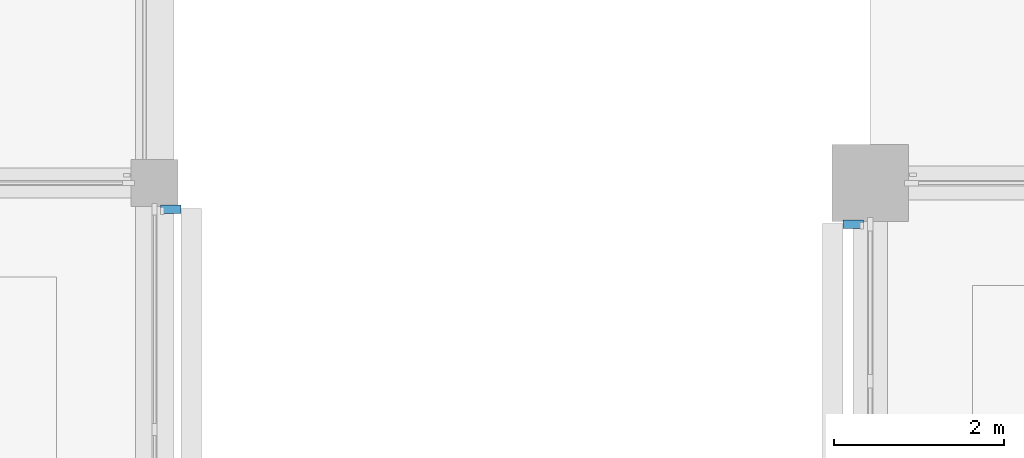
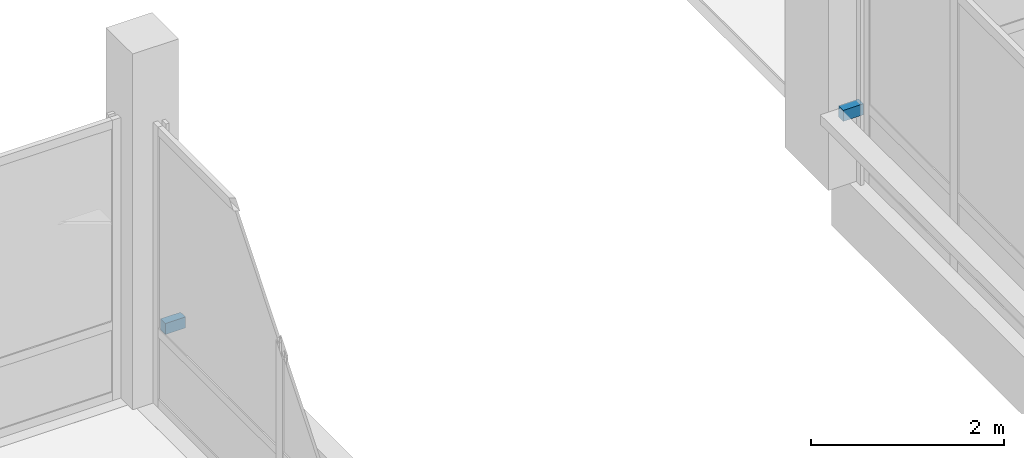
# One storey, part 29 of 59: 2 discrete accessories.
"""IFC4 building model written with IfcOpenShell, lengths in metres."""

import ifcopenshell
import ifcopenshell.guid

model = None  # the IFC model being written
_history = None  # IfcOwnerHistory: only IFC2X3 demands one
_inside = {}  # id of a spatial element -> (the spatial element, [elements in it])
_under = {}  # id of a project, library or spatial element -> (it, [spatial elements below it])
_declared = {}  # id of a project -> (the project, [libraries it declares])
_typed = {}  # id of a type object -> (the type object, [elements of that type])
_made_of = {}  # id of a material, layer set ... -> (it, [elements and type objects made of it])


def new_model(schema):
    """Start an empty IFC model of exactly this schema.

    Asked for "IFC4X3", IfcOpenShell would pick the latest addendum, in which some entities
    have other attributes; the version numbers below select the first issue.
    IFC2X3 requires an IfcOwnerHistory on every rooted entity: one is made here for all.
    """
    global model, _history
    if schema == "IFC4X3":
        model = ifcopenshell.file(schema_version=(4, 3, 0, 0))
    else:
        model = ifcopenshell.file(schema=schema)
    _inside.clear()
    _under.clear()
    _declared.clear()
    _typed.clear()
    _made_of.clear()
    _history = None
    if model.schema == "IFC2X3":
        org = make("IfcOrganization", Name="unknown")
        user = make(
            "IfcPersonAndOrganization",
            ThePerson=make("IfcPerson", FamilyName="unknown"),
            TheOrganization=org,
        )
        app = make(
            "IfcApplication",
            ApplicationDeveloper=org,
            Version="unknown",
            ApplicationFullName="unknown",
            ApplicationIdentifier="unknown",
        )
        _history = make(
            "IfcOwnerHistory",
            OwningUser=user,
            OwningApplication=app,
            ChangeAction="ADDED",
            CreationDate=0,
        )
    return model


def make(cls, **values):
    """One entity of the class cls with the attributes given. An attribute that is None is left unset."""
    return model.create_entity(
        cls, **{name: value for name, value in values.items() if value is not None}
    )


def rooted(cls, **values):
    """An entity with a GlobalId (a new one), such as an element, a storey or a relation."""
    return make(cls, GlobalId=ifcopenshell.guid.new(), OwnerHistory=_history, **values)


def si_unit(unit_type, name, prefix=None):
    """IfcSIUnit, for example si_unit("LENGTHUNIT", "METRE", prefix="MILLI")."""
    return make("IfcSIUnit", UnitType=unit_type, Prefix=prefix, Name=name)


def assignment(units):
    """IfcUnitAssignment: the units of a project."""
    return None if units is None else make("IfcUnitAssignment", Units=units)


def point(xyz):
    """IfcCartesianPoint."""
    return None if xyz is None else make("IfcCartesianPoint", Coordinates=xyz)


def direction(xyz):
    """IfcDirection."""
    return None if xyz is None else make("IfcDirection", DirectionRatios=xyz)


def frame(location, z_axis=None, x_axis=None):
    """IfcAxis2Placement3D, a coordinate frame: its origin and axes. An axis left out is left unset."""
    return make(
        "IfcAxis2Placement3D",
        Location=point(location),
        Axis=direction(z_axis),
        RefDirection=direction(x_axis),
    )


def frame_2d(location, x_axis=None):
    """IfcAxis2Placement2D, a coordinate frame in the plane: its origin and x axis."""
    return make(
        "IfcAxis2Placement2D", Location=point(location), RefDirection=direction(x_axis)
    )


def origin():
    """The frame at (0, 0, 0) with its axes left unset."""
    return frame((0.0, 0.0, 0.0))


def origin_2d():
    """The frame at (0, 0) in the plane with its x axis left unset."""
    return frame_2d((0.0, 0.0))


def place(relative_to, where):
    """IfcLocalPlacement: puts the frame where relative to a parent placement (None: the world)."""
    return make(
        "IfcLocalPlacement", PlacementRelTo=relative_to, RelativePlacement=where
    )


def context(
    kind, dimensions, precision=None, world=None, true_north=None, identifier=None
):
    """IfcGeometricRepresentationContext, for example the 3D "Model" context."""
    return make(
        "IfcGeometricRepresentationContext",
        ContextIdentifier=identifier,
        ContextType=kind,
        CoordinateSpaceDimension=dimensions,
        Precision=precision,
        WorldCoordinateSystem=world,
        TrueNorth=true_north,
    )


def subcontext(parent, identifier, kind, view, scale=None):
    """IfcGeometricRepresentationSubContext, for example "Body" below "Model"."""
    return make(
        "IfcGeometricRepresentationSubContext",
        ContextIdentifier=identifier,
        ContextType=kind,
        ParentContext=parent,
        TargetScale=scale,
        TargetView=view,
    )


def project(units=None, contexts=None):
    """IfcProject with its units and contexts."""
    return rooted(
        "IfcProject",
        Name="project",
        RepresentationContexts=contexts,
        UnitsInContext=assignment(units),
    )


def spatial(cls, under=None, at=None, **own):
    """A site, building, storey or space (cls), placed at a placement, below another one or the project."""
    s = rooted(cls, ObjectPlacement=at, **own)
    if under is not None:
        _under.setdefault(under.id(), (under, []))[1].append(s)
    return s


def profile(cls, at=None, kind="AREA", **sizes):
    """A parametric profile (cls). Its sizes go by their IFC names, for example OverallWidth=200.0."""
    return make(cls, ProfileType=kind, Position=at, **sizes)


def rectangle(**sizes):
    """IfcRectangleProfileDef."""
    return profile("IfcRectangleProfileDef", **sizes)


def extrude(swept, where, along, depth):
    """IfcExtrudedAreaSolid: the profile swept, set in the frame where, extruded along a direction by depth."""
    return make(
        "IfcExtrudedAreaSolid",
        SweptArea=swept,
        Position=where,
        ExtrudedDirection=direction(along),
        Depth=depth,
    )


def shape(context_of_items, identifier, shape_type, items):
    """IfcShapeRepresentation: the items that make up one representation, for example the "Body"."""
    return make(
        "IfcShapeRepresentation",
        ContextOfItems=context_of_items,
        RepresentationIdentifier=identifier,
        RepresentationType=shape_type,
        Items=items,
    )


def material(Name=None, Category=None):
    """IfcMaterial."""
    return make("IfcMaterial", Name=Name, Category=Category)


def made_of(thing, what):
    """Note that an element or type object is made of a material, layer set ...; save() writes the relation."""
    if what is not None:
        _made_of.setdefault(what.id(), (what, []))[1].append(thing)
    return thing


def type_object(cls, material=None, **own):
    """A type object (cls), such as IfcWallType, which elements share."""
    return made_of(rooted(cls, **own), material)


def element(
    cls,
    number,
    at=None,
    inside=None,
    cuts=None,
    type_object=None,
    material=None,
    context=None,
    identifier="Body",
    shape_type=None,
    held_by="IfcProductDefinitionShape",
    body=None,
    shapes=None,
    **own,
):
    """One element of the class cls, such as IfcWall. Its Tag is "e" and its number.

    at: its placement. inside: the storey or other place that contains it. cuts: it is an
    opening in that element (IfcRelVoidsElement). A single representation is given by context,
    identifier, shape_type and body (its items); several are given by shapes. held_by: the class
    of the entity that holds the representations. save() writes the other relations.
    """
    e = rooted(cls, Tag="e%d" % number, ObjectPlacement=at, **own)
    if body is not None:
        shapes = [shape(context, identifier, shape_type, body)]
    if shapes is not None:
        e.Representation = make(held_by, Representations=shapes)
    if inside is not None:
        _inside.setdefault(inside.id(), (inside, []))[1].append(e)
    if cuts is not None:
        rooted(
            "IfcRelVoidsElement", RelatingBuildingElement=cuts, RelatedOpeningElement=e
        )
    if type_object is not None:
        _typed.setdefault(type_object.id(), (type_object, []))[1].append(e)
    return made_of(e, material)


def aggregate(whole, parts):
    """IfcRelAggregates: a whole, such as a stair, and the parts it consists of."""
    return rooted("IfcRelAggregates", RelatingObject=whole, RelatedObjects=parts)


def save(model, path):
    """Write the relations noted so far, then the file.

    IfcRelAggregates (storeys below a building ...), IfcRelContainedInSpatialStructure (elements
    in a storey), IfcRelDefinesByType, IfcRelAssociatesMaterial and IfcRelDeclares: one each for
    every whole, place, type object, material and project.
    """
    for whole, parts in _under.values():
        aggregate(whole, parts)
    for where, things in _inside.values():
        rooted(
            "IfcRelContainedInSpatialStructure",
            RelatedElements=things,
            RelatingStructure=where,
        )
    for kind, things in _typed.values():
        rooted("IfcRelDefinesByType", RelatedObjects=things, RelatingType=kind)
    for what, things in _made_of.values():
        rooted("IfcRelAssociatesMaterial", RelatedObjects=things, RelatingMaterial=what)
    for by, libraries in _declared.values():
        rooted("IfcRelDeclares", RelatingContext=by, RelatedDefinitions=libraries)
    model.write(path)


model = new_model("IFC4")

# Units and contexts
model_context = context("Model", 3, precision=1e-05, world=origin(), true_north=direction((0.0, 1.0)))
body_context = subcontext(model_context, "Body", "Model", "MODEL_VIEW")
ifc_project = project(units=[si_unit("LENGTHUNIT", "METRE"), si_unit("AREAUNIT", "SQUARE_METRE"), si_unit("VOLUMEUNIT", "CUBIC_METRE"), si_unit("PLANEANGLEUNIT", "RADIAN"), si_unit("MASSUNIT", "GRAM", prefix="KILO")], contexts=[model_context])

# Site, building, storey
site_placement = place(None, origin())
site = spatial("IfcSite", under=ifc_project, at=site_placement, CompositionType="ELEMENT")
building_placement = place(site_placement, origin())
building = spatial("IfcBuilding", under=site, at=building_placement, Name="Telukmera Botanical Conservatory", CompositionType="ELEMENT")
storey_placement = place(building_placement, frame((0.0, 0.0, 15.0)))
storey = spatial("IfcBuildingStorey", under=building, at=storey_placement, Name="L03", CompositionType="ELEMENT", Elevation=15.0)

# Discrete accessories
ifc_material = material(Name="Steel S355", Category="steel")
discrete_accessory_type = type_object("IfcDiscreteAccessoryType", Name="Structural Steel Facade Outrigger Fin Bracket", PredefinedType="BRACKET", material=ifc_material)
for number, where, z_axis, x_axis, name in (
    (1, (42.18994140625, 42.492919921875, 0.8798828125), (0.0, 0.0, 1.0), (0.0, 1.0, 0.0), "Facade Outrigger Bracket V3:L03:E2 B"),
    (2, (50.199951171875, 42.3154296875, 0.8798828125), (0.0, 0.0, 1.0), (0.0, 1.0, 0.0), "Facade Outrigger Bracket V4:L03:W4 B"),
):
    element("IfcDiscreteAccessory", number, at=place(storey_placement, frame(where, z_axis=z_axis, x_axis=x_axis)), inside=storey, type_object=discrete_accessory_type, Name=name, PredefinedType="BRACKET", context=body_context, shape_type="SweptSolid", body=[
        extrude(rectangle(XDim=0.10009765625, YDim=0.239990234375, at=origin_2d()), origin(), (0.0, 0.0, 1.0), 0.139892578125),
    ])

save(model, "model.ifc")
